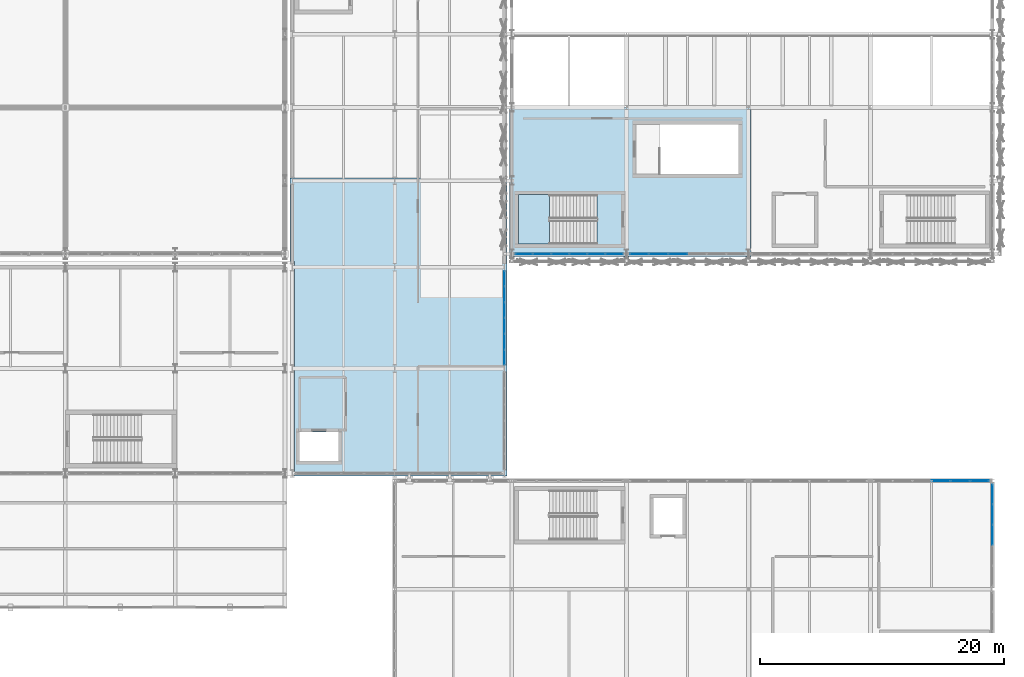
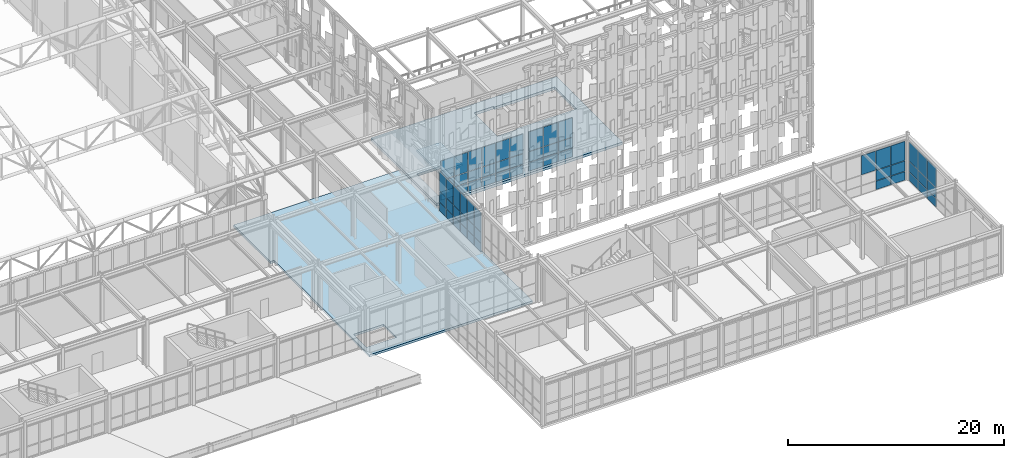
# One storey, part 194 of 239: 61 plates, 4 slabs, 6 elements without a shape of their own.
"""IFC4 building model written with IfcOpenShell, lengths in metres."""

import ifcopenshell
import ifcopenshell.guid

model = None  # the IFC model being written
_history = None  # IfcOwnerHistory: only IFC2X3 demands one
_inside = {}  # id of a spatial element -> (the spatial element, [elements in it])
_under = {}  # id of a project, library or spatial element -> (it, [spatial elements below it])
_declared = {}  # id of a project -> (the project, [libraries it declares])
_typed = {}  # id of a type object -> (the type object, [elements of that type])
_made_of = {}  # id of a material, layer set ... -> (it, [elements and type objects made of it])


def new_model(schema):
    """Start an empty IFC model of exactly this schema.

    Asked for "IFC4X3", IfcOpenShell would pick the latest addendum, in which some entities
    have other attributes; the version numbers below select the first issue.
    IFC2X3 requires an IfcOwnerHistory on every rooted entity: one is made here for all.
    """
    global model, _history
    if schema == "IFC4X3":
        model = ifcopenshell.file(schema_version=(4, 3, 0, 0))
    else:
        model = ifcopenshell.file(schema=schema)
    _inside.clear()
    _under.clear()
    _declared.clear()
    _typed.clear()
    _made_of.clear()
    _history = None
    if model.schema == "IFC2X3":
        org = make("IfcOrganization", Name="unknown")
        user = make(
            "IfcPersonAndOrganization",
            ThePerson=make("IfcPerson", FamilyName="unknown"),
            TheOrganization=org,
        )
        app = make(
            "IfcApplication",
            ApplicationDeveloper=org,
            Version="unknown",
            ApplicationFullName="unknown",
            ApplicationIdentifier="unknown",
        )
        _history = make(
            "IfcOwnerHistory",
            OwningUser=user,
            OwningApplication=app,
            ChangeAction="ADDED",
            CreationDate=0,
        )
    return model


def make(cls, **values):
    """One entity of the class cls with the attributes given. An attribute that is None is left unset."""
    return model.create_entity(
        cls, **{name: value for name, value in values.items() if value is not None}
    )


def rooted(cls, **values):
    """An entity with a GlobalId (a new one), such as an element, a storey or a relation."""
    return make(cls, GlobalId=ifcopenshell.guid.new(), OwnerHistory=_history, **values)


def si_unit(unit_type, name, prefix=None):
    """IfcSIUnit, for example si_unit("LENGTHUNIT", "METRE", prefix="MILLI")."""
    return make("IfcSIUnit", UnitType=unit_type, Prefix=prefix, Name=name)


def assignment(units):
    """IfcUnitAssignment: the units of a project."""
    return None if units is None else make("IfcUnitAssignment", Units=units)


def point(xyz):
    """IfcCartesianPoint."""
    return None if xyz is None else make("IfcCartesianPoint", Coordinates=xyz)


def direction(xyz):
    """IfcDirection."""
    return None if xyz is None else make("IfcDirection", DirectionRatios=xyz)


def frame(location, z_axis=None, x_axis=None):
    """IfcAxis2Placement3D, a coordinate frame: its origin and axes. An axis left out is left unset."""
    return make(
        "IfcAxis2Placement3D",
        Location=point(location),
        Axis=direction(z_axis),
        RefDirection=direction(x_axis),
    )


def frame_2d(location, x_axis=None):
    """IfcAxis2Placement2D, a coordinate frame in the plane: its origin and x axis."""
    return make(
        "IfcAxis2Placement2D", Location=point(location), RefDirection=direction(x_axis)
    )


def origin():
    """The frame at (0, 0, 0) with its axes left unset."""
    return frame((0.0, 0.0, 0.0))


def origin_2d():
    """The frame at (0, 0) in the plane with its x axis left unset."""
    return frame_2d((0.0, 0.0))


def place(relative_to, where):
    """IfcLocalPlacement: puts the frame where relative to a parent placement (None: the world)."""
    return make(
        "IfcLocalPlacement", PlacementRelTo=relative_to, RelativePlacement=where
    )


def context(
    kind, dimensions, precision=None, world=None, true_north=None, identifier=None
):
    """IfcGeometricRepresentationContext, for example the 3D "Model" context."""
    return make(
        "IfcGeometricRepresentationContext",
        ContextIdentifier=identifier,
        ContextType=kind,
        CoordinateSpaceDimension=dimensions,
        Precision=precision,
        WorldCoordinateSystem=world,
        TrueNorth=true_north,
    )


def subcontext(parent, identifier, kind, view, scale=None):
    """IfcGeometricRepresentationSubContext, for example "Body" below "Model"."""
    return make(
        "IfcGeometricRepresentationSubContext",
        ContextIdentifier=identifier,
        ContextType=kind,
        ParentContext=parent,
        TargetScale=scale,
        TargetView=view,
    )


def project(units=None, contexts=None):
    """IfcProject with its units and contexts."""
    return rooted(
        "IfcProject",
        Name="project",
        RepresentationContexts=contexts,
        UnitsInContext=assignment(units),
    )


def spatial(cls, under=None, at=None, **own):
    """A site, building, storey or space (cls), placed at a placement, below another one or the project."""
    s = rooted(cls, ObjectPlacement=at, **own)
    if under is not None:
        _under.setdefault(under.id(), (under, []))[1].append(s)
    return s


def polyline(points):
    """IfcPolyline through the points."""
    return make("IfcPolyline", Points=[point(p) for p in points])


def profile(cls, at=None, kind="AREA", **sizes):
    """A parametric profile (cls). Its sizes go by their IFC names, for example OverallWidth=200.0."""
    return make(cls, ProfileType=kind, Position=at, **sizes)


def rectangle(**sizes):
    """IfcRectangleProfileDef."""
    return profile("IfcRectangleProfileDef", **sizes)


def outline(outer, holes=None, kind="AREA"):
    """IfcArbitraryClosedProfileDef: a profile drawn as a closed curve; with holes, ...WithVoids."""
    if holes is None:
        return make("IfcArbitraryClosedProfileDef", ProfileType=kind, OuterCurve=outer)
    return make(
        "IfcArbitraryProfileDefWithVoids",
        ProfileType=kind,
        OuterCurve=outer,
        InnerCurves=holes,
    )


def extrude(swept, where, along, depth):
    """IfcExtrudedAreaSolid: the profile swept, set in the frame where, extruded along a direction by depth."""
    return make(
        "IfcExtrudedAreaSolid",
        SweptArea=swept,
        Position=where,
        ExtrudedDirection=direction(along),
        Depth=depth,
    )


def shape(context_of_items, identifier, shape_type, items):
    """IfcShapeRepresentation: the items that make up one representation, for example the "Body"."""
    return make(
        "IfcShapeRepresentation",
        ContextOfItems=context_of_items,
        RepresentationIdentifier=identifier,
        RepresentationType=shape_type,
        Items=items,
    )


def material(Name=None, Category=None):
    """IfcMaterial."""
    return make("IfcMaterial", Name=Name, Category=Category)


def layer(
    of_material, thickness, ventilated=None, Name=None, Category=None, Priority=None
):
    """IfcMaterialLayer: one layer of a wall or slab, of a material (None: an air gap)."""
    return make(
        "IfcMaterialLayer",
        Material=of_material,
        LayerThickness=thickness,
        IsVentilated=ventilated,
        Name=Name,
        Category=Category,
        Priority=Priority,
    )


def layer_set(layers, Name=None):
    """IfcMaterialLayerSet."""
    return make("IfcMaterialLayerSet", MaterialLayers=layers, LayerSetName=Name)


def made_of(thing, what):
    """Note that an element or type object is made of a material, layer set ...; save() writes the relation."""
    if what is not None:
        _made_of.setdefault(what.id(), (what, []))[1].append(thing)
    return thing


def type_object(cls, material=None, **own):
    """A type object (cls), such as IfcWallType, which elements share."""
    return made_of(rooted(cls, **own), material)


def element(
    cls,
    number,
    at=None,
    inside=None,
    cuts=None,
    type_object=None,
    material=None,
    context=None,
    identifier="Body",
    shape_type=None,
    held_by="IfcProductDefinitionShape",
    body=None,
    shapes=None,
    **own,
):
    """One element of the class cls, such as IfcWall. Its Tag is "e" and its number.

    at: its placement. inside: the storey or other place that contains it. cuts: it is an
    opening in that element (IfcRelVoidsElement). A single representation is given by context,
    identifier, shape_type and body (its items); several are given by shapes. held_by: the class
    of the entity that holds the representations. save() writes the other relations.
    """
    e = rooted(cls, Tag="e%d" % number, ObjectPlacement=at, **own)
    if body is not None:
        shapes = [shape(context, identifier, shape_type, body)]
    if shapes is not None:
        e.Representation = make(held_by, Representations=shapes)
    if inside is not None:
        _inside.setdefault(inside.id(), (inside, []))[1].append(e)
    if cuts is not None:
        rooted(
            "IfcRelVoidsElement", RelatingBuildingElement=cuts, RelatedOpeningElement=e
        )
    if type_object is not None:
        _typed.setdefault(type_object.id(), (type_object, []))[1].append(e)
    return made_of(e, material)


def aggregate(whole, parts):
    """IfcRelAggregates: a whole, such as a stair, and the parts it consists of."""
    return rooted("IfcRelAggregates", RelatingObject=whole, RelatedObjects=parts)


def save(model, path):
    """Write the relations noted so far, then the file.

    IfcRelAggregates (storeys below a building ...), IfcRelContainedInSpatialStructure (elements
    in a storey), IfcRelDefinesByType, IfcRelAssociatesMaterial and IfcRelDeclares: one each for
    every whole, place, type object, material and project.
    """
    for whole, parts in _under.values():
        aggregate(whole, parts)
    for where, things in _inside.values():
        rooted(
            "IfcRelContainedInSpatialStructure",
            RelatedElements=things,
            RelatingStructure=where,
        )
    for kind, things in _typed.values():
        rooted("IfcRelDefinesByType", RelatedObjects=things, RelatingType=kind)
    for what, things in _made_of.values():
        rooted("IfcRelAssociatesMaterial", RelatedObjects=things, RelatingMaterial=what)
    for by, libraries in _declared.values():
        rooted("IfcRelDeclares", RelatingContext=by, RelatedDefinitions=libraries)
    model.write(path)


model = new_model("IFC4")

# Units and contexts
model_context = context("Model", 3, precision=1e-05, world=origin(), true_north=direction((0.0, 1.0)))
body_context = subcontext(model_context, "Body", "Model", "MODEL_VIEW")
ifc_project = project(units=[si_unit("LENGTHUNIT", "METRE"), si_unit("AREAUNIT", "SQUARE_METRE"), si_unit("VOLUMEUNIT", "CUBIC_METRE"), si_unit("PLANEANGLEUNIT", "RADIAN"), si_unit("MASSUNIT", "GRAM", prefix="KILO")], contexts=[model_context])

# Site, building, storey
site_placement = place(None, origin())
site = spatial("IfcSite", under=ifc_project, at=site_placement, CompositionType="ELEMENT")
building_placement = place(site_placement, origin())
building = spatial("IfcBuilding", under=site, at=building_placement, Name="Kaldris Quays Convention Centre", CompositionType="ELEMENT")
storey_placement = place(building_placement, frame((0.0, 0.0, 11.39990234375)))
storey = spatial("IfcBuildingStorey", under=building, at=storey_placement, Name="L02", CompositionType="ELEMENT", Elevation=11.39990234375)

# Curtain wall, plates
ifc_material_1 = material(Name="Anodized aluminium AW-6060 and triple glazing", Category="aluminium")
curtain_wall_type_1 = type_object("IfcCurtainWallType", Name="UNITISED CURTAIN WALL CW02", PredefinedType="NOTDEFINED", material=ifc_material_1)
curtain_wall_1_placement = place(storey_placement, origin())
curtain_wall_1 = element("IfcCurtainWall", 1, at=curtain_wall_1_placement, inside=storey, type_object=curtain_wall_type_1, Name="L02 Unitised Curtain Wall CW02 212", PredefinedType="NOTDEFINED")
ifc_material_2 = material(Name="Triple low-E insulated glazing", Category="glass")
plate_type_1 = type_object("IfcPlateType", Name="CURTAIN GLAZING PANEL CWP4", PredefinedType="CURTAIN_PANEL", material=ifc_material_2)
plate_1_placement = place(storey_placement, frame((204.0, 32.949951171875, 0.06005859375), z_axis=(0.0, 0.0, 1.0), x_axis=(0.0, 1.0, 0.0)))
plate_1 = element("IfcPlate", 2, at=plate_1_placement, type_object=plate_type_1, Name="CW02 panel 3.1", PredefinedType="CURTAIN_PANEL", context=body_context, shape_type="SweptSolid", body=[
    extrude(rectangle(XDim=1.6201171875, YDim=0.0439453125, at=origin_2d()), origin(), (0.0, 0.0, 1.0), 0.9599609375),
])
plate_2_placement = place(storey_placement, frame((204.0, 32.949951171875, 1.080078125), z_axis=(0.0, 0.0, 1.0), x_axis=(0.0, 1.0, 0.0)))
plate_2 = element("IfcPlate", 3, at=plate_2_placement, type_object=plate_type_1, Name="CW02 panel 3.2", PredefinedType="CURTAIN_PANEL", context=body_context, shape_type="SweptSolid", body=[
    extrude(rectangle(XDim=1.6201171875, YDim=0.0439453125, at=origin_2d()), origin(), (0.0, 0.0, 1.0), 1.138916015625),
])
plate_3_placement = place(storey_placement, frame((204.0, 32.949951171875, 2.279296875), z_axis=(0.0, 0.0, 1.0), x_axis=(0.0, 1.0, 0.0)))
plate_3 = element("IfcPlate", 4, at=plate_3_placement, type_object=plate_type_1, Name="CW02 panel 3.3", PredefinedType="CURTAIN_PANEL", context=body_context, shape_type="SweptSolid", body=[
    extrude(rectangle(XDim=1.6201171875, YDim=0.0439453125, at=origin_2d()), origin(), (0.0, 0.0, 1.0), 2.158935546875),
])
plate_4_placement = place(storey_placement, frame((204.0, 34.6298828125, 0.06005859375), z_axis=(0.0, 0.0, 1.0), x_axis=(0.0, 1.0, 0.0)))
plate_4 = element("IfcPlate", 5, at=plate_4_placement, type_object=plate_type_1, Name="CW02 panel 4.1", PredefinedType="CURTAIN_PANEL", context=body_context, shape_type="SweptSolid", body=[
    extrude(rectangle(XDim=1.6201171875, YDim=0.0439453125, at=origin_2d()), origin(), (0.0, 0.0, 1.0), 0.9599609375),
])
plate_5_placement = place(storey_placement, frame((204.0, 34.6298828125, 1.080078125), z_axis=(0.0, 0.0, 1.0), x_axis=(0.0, 1.0, 0.0)))
plate_5 = element("IfcPlate", 6, at=plate_5_placement, type_object=plate_type_1, Name="CW02 panel 4.2", PredefinedType="CURTAIN_PANEL", context=body_context, shape_type="SweptSolid", body=[
    extrude(rectangle(XDim=1.6201171875, YDim=0.0439453125, at=origin_2d()), origin(), (0.0, 0.0, 1.0), 1.138916015625),
])
plate_6_placement = place(storey_placement, frame((204.0, 34.6298828125, 2.279296875), z_axis=(0.0, 0.0, 1.0), x_axis=(0.0, 1.0, 0.0)))
plate_6 = element("IfcPlate", 7, at=plate_6_placement, type_object=plate_type_1, Name="CW02 panel 4.3", PredefinedType="CURTAIN_PANEL", context=body_context, shape_type="SweptSolid", body=[
    extrude(rectangle(XDim=1.6201171875, YDim=0.0439453125, at=origin_2d()), origin(), (0.0, 0.0, 1.0), 2.158935546875),
])
plate_7_placement = place(storey_placement, frame((204.0, 36.294921875, 0.06005859375), z_axis=(0.0, 0.0, 1.0), x_axis=(0.0, 1.0, 0.0)))
plate_7 = element("IfcPlate", 8, at=plate_7_placement, type_object=plate_type_1, Name="CW02 panel 5.1", PredefinedType="CURTAIN_PANEL", context=body_context, shape_type="SweptSolid", body=[
    extrude(rectangle(XDim=1.590087890625, YDim=0.0439453125, at=origin_2d()), origin(), (0.0, 0.0, 1.0), 0.9599609375),
])
plate_8_placement = place(storey_placement, frame((204.0, 36.294921875, 1.080078125), z_axis=(0.0, 0.0, 1.0), x_axis=(0.0, 1.0, 0.0)))
plate_8 = element("IfcPlate", 9, at=plate_8_placement, type_object=plate_type_1, Name="CW02 panel 5.2", PredefinedType="CURTAIN_PANEL", context=body_context, shape_type="SweptSolid", body=[
    extrude(rectangle(XDim=1.590087890625, YDim=0.0439453125, at=origin_2d()), origin(), (0.0, 0.0, 1.0), 1.138916015625),
])
plate_9_placement = place(storey_placement, frame((204.0, 36.294921875, 2.279296875), z_axis=(0.0, 0.0, 1.0), x_axis=(0.0, 1.0, 0.0)))
plate_9 = element("IfcPlate", 10, at=plate_9_placement, type_object=plate_type_1, Name="CW02 panel 5.3", PredefinedType="CURTAIN_PANEL", context=body_context, shape_type="SweptSolid", body=[
    extrude(rectangle(XDim=1.590087890625, YDim=0.0439453125, at=origin_2d()), origin(), (0.0, 0.0, 1.0), 2.158935546875),
])
aggregate(curtain_wall_1, [plate_1, plate_2, plate_3, plate_4, plate_5, plate_6, plate_7, plate_8, plate_9])

curtain_wall_type_2 = type_object("IfcCurtainWallType", Name="UNITISED CURTAIN WALL CW01", PredefinedType="NOTDEFINED", material=ifc_material_1)
curtain_wall_2_placement = place(storey_placement, origin())
curtain_wall_2 = element("IfcCurtainWall", 11, at=curtain_wall_2_placement, inside=storey, type_object=curtain_wall_type_2, Name="L02 Unitised Curtain Wall CW01 29", PredefinedType="NOTDEFINED")
plate_type_2 = type_object("IfcPlateType", Name="CURTAIN GLAZING PANEL CWP5", PredefinedType="CURTAIN_PANEL", material=ifc_material_2)
plate_10_placement = place(storey_placement, frame((165.606689453125, 56.0, 0.06005859375), z_axis=(0.0, 0.0, 1.0), x_axis=(1.0, 0.0, 0.0)))
plate_10 = element("IfcPlate", 12, at=plate_10_placement, type_object=plate_type_2, Name="CW01 panel 1.1", PredefinedType="CURTAIN_PANEL", context=body_context, shape_type="SweptSolid", body=[
    extrude(rectangle(XDim=1.393310546875, YDim=0.049072265625, at=origin_2d()), origin(), (0.0, 0.0, 1.0), 0.9599609375),
])
plate_11_placement = place(storey_placement, frame((165.606689453125, 56.0, 1.080078125), z_axis=(0.0, 0.0, 1.0), x_axis=(1.0, 0.0, 0.0)))
plate_11 = element("IfcPlate", 13, at=plate_11_placement, type_object=plate_type_2, Name="CW01 panel 1.2", PredefinedType="CURTAIN_PANEL", context=body_context, shape_type="SweptSolid", body=[
    extrude(rectangle(XDim=1.393310546875, YDim=0.049072265625, at=origin_2d()), origin(), (0.0, 0.0, 1.0), 1.1640625),
])
plate_12_placement = place(storey_placement, frame((165.606689453125, 56.0, 2.303955078125), z_axis=(0.0, 0.0, 1.0), x_axis=(1.0, 0.0, 0.0)))
plate_12 = element("IfcPlate", 14, at=plate_12_placement, type_object=plate_type_2, Name="CW01 panel 1.3", PredefinedType="CURTAIN_PANEL", context=body_context, shape_type="SweptSolid", body=[
    extrude(rectangle(XDim=1.393310546875, YDim=0.049072265625, at=origin_2d()), origin(), (0.0, 0.0, 1.0), 2.18408203125),
])
plate_13_placement = place(storey_placement, frame((167.074951171875, 56.0, 0.06005859375), z_axis=(0.0, 0.0, 1.0), x_axis=(1.0, 0.0, 0.0)))
plate_13 = element("IfcPlate", 15, at=plate_13_placement, type_object=plate_type_2, Name="CW01 panel 2.1", PredefinedType="CURTAIN_PANEL", context=body_context, shape_type="SweptSolid", body=[
    extrude(rectangle(XDim=1.42333984375, YDim=0.049072265625, at=origin_2d()), origin(), (0.0, 0.0, 1.0), 0.9599609375),
])
plate_14_placement = place(storey_placement, frame((167.074951171875, 56.0, 1.080078125), z_axis=(0.0, 0.0, 1.0), x_axis=(1.0, 0.0, 0.0)))
plate_14 = element("IfcPlate", 16, at=plate_14_placement, type_object=plate_type_2, Name="CW01 panel 2.2", PredefinedType="CURTAIN_PANEL", context=body_context, shape_type="SweptSolid", body=[
    extrude(rectangle(XDim=1.42333984375, YDim=0.049072265625, at=origin_2d()), origin(), (0.0, 0.0, 1.0), 1.1640625),
])
plate_15_placement = place(storey_placement, frame((167.074951171875, 56.0, 2.303955078125), z_axis=(0.0, 0.0, 1.0), x_axis=(1.0, 0.0, 0.0)))
plate_15 = element("IfcPlate", 17, at=plate_15_placement, type_object=plate_type_2, Name="CW01 panel 2.3", PredefinedType="CURTAIN_PANEL", context=body_context, shape_type="SweptSolid", body=[
    extrude(rectangle(XDim=1.42333984375, YDim=0.049072265625, at=origin_2d()), origin(), (0.0, 0.0, 1.0), 2.18408203125),
])
plate_16_placement = place(storey_placement, frame((168.558349609375, 56.0, 0.06005859375), z_axis=(0.0, 0.0, 1.0), x_axis=(1.0, 0.0, 0.0)))
plate_16 = element("IfcPlate", 18, at=plate_16_placement, type_object=plate_type_2, Name="CW01 panel 3.1", PredefinedType="CURTAIN_PANEL", context=body_context, shape_type="SweptSolid", body=[
    extrude(rectangle(XDim=1.42333984375, YDim=0.049072265625, at=origin_2d()), origin(), (0.0, 0.0, 1.0), 0.9599609375),
])
plate_17_placement = place(storey_placement, frame((168.558349609375, 56.0, 1.080078125), z_axis=(0.0, 0.0, 1.0), x_axis=(1.0, 0.0, 0.0)))
plate_17 = element("IfcPlate", 19, at=plate_17_placement, type_object=plate_type_2, Name="CW01 panel 3.2", PredefinedType="CURTAIN_PANEL", context=body_context, shape_type="SweptSolid", body=[
    extrude(rectangle(XDim=1.42333984375, YDim=0.049072265625, at=origin_2d()), origin(), (0.0, 0.0, 1.0), 1.1640625),
])
plate_18_placement = place(storey_placement, frame((168.558349609375, 56.0, 2.303955078125), z_axis=(0.0, 0.0, 1.0), x_axis=(1.0, 0.0, 0.0)))
plate_18 = element("IfcPlate", 20, at=plate_18_placement, type_object=plate_type_2, Name="CW01 panel 3.3", PredefinedType="CURTAIN_PANEL", context=body_context, shape_type="SweptSolid", body=[
    extrude(rectangle(XDim=1.42333984375, YDim=0.049072265625, at=origin_2d()), origin(), (0.0, 0.0, 1.0), 2.18408203125),
])
plate_19_placement = place(storey_placement, frame((170.041748046875, 56.0, 0.06005859375), z_axis=(0.0, 0.0, 1.0), x_axis=(1.0, 0.0, 0.0)))
plate_19 = element("IfcPlate", 21, at=plate_19_placement, type_object=plate_type_2, Name="CW01 panel 4.1", PredefinedType="CURTAIN_PANEL", context=body_context, shape_type="SweptSolid", body=[
    extrude(rectangle(XDim=1.42333984375, YDim=0.049072265625, at=origin_2d()), origin(), (0.0, 0.0, 1.0), 0.9599609375),
])
plate_20_placement = place(storey_placement, frame((170.041748046875, 56.0, 1.080078125), z_axis=(0.0, 0.0, 1.0), x_axis=(1.0, 0.0, 0.0)))
plate_20 = element("IfcPlate", 22, at=plate_20_placement, type_object=plate_type_2, Name="CW01 panel 4.2", PredefinedType="CURTAIN_PANEL", context=body_context, shape_type="SweptSolid", body=[
    extrude(rectangle(XDim=1.42333984375, YDim=0.049072265625, at=origin_2d()), origin(), (0.0, 0.0, 1.0), 1.1640625),
])
plate_21_placement = place(storey_placement, frame((170.041748046875, 56.0, 2.303955078125), z_axis=(0.0, 0.0, 1.0), x_axis=(1.0, 0.0, 0.0)))
plate_21 = element("IfcPlate", 23, at=plate_21_placement, type_object=plate_type_2, Name="CW01 panel 4.3", PredefinedType="CURTAIN_PANEL", context=body_context, shape_type="SweptSolid", body=[
    extrude(rectangle(XDim=1.42333984375, YDim=0.049072265625, at=origin_2d()), origin(), (0.0, 0.0, 1.0), 2.18408203125),
])
plate_22_placement = place(storey_placement, frame((171.52490234375, 56.0, 0.06005859375), z_axis=(0.0, 0.0, 1.0), x_axis=(1.0, 0.0, 0.0)))
plate_22 = element("IfcPlate", 24, at=plate_22_placement, type_object=plate_type_2, Name="CW01 panel 5.1", PredefinedType="CURTAIN_PANEL", context=body_context, shape_type="SweptSolid", body=[
    extrude(rectangle(XDim=1.42333984375, YDim=0.049072265625, at=origin_2d()), origin(), (0.0, 0.0, 1.0), 0.9599609375),
])
plate_23_placement = place(storey_placement, frame((171.52490234375, 56.0, 1.080078125), z_axis=(0.0, 0.0, 1.0), x_axis=(1.0, 0.0, 0.0)))
plate_23 = element("IfcPlate", 25, at=plate_23_placement, type_object=plate_type_2, Name="CW01 panel 5.2", PredefinedType="CURTAIN_PANEL", context=body_context, shape_type="SweptSolid", body=[
    extrude(rectangle(XDim=1.42333984375, YDim=0.049072265625, at=origin_2d()), origin(), (0.0, 0.0, 1.0), 1.1640625),
])
plate_24_placement = place(storey_placement, frame((171.52490234375, 56.0, 2.303955078125), z_axis=(0.0, 0.0, 1.0), x_axis=(1.0, 0.0, 0.0)))
plate_24 = element("IfcPlate", 26, at=plate_24_placement, type_object=plate_type_2, Name="CW01 panel 5.3", PredefinedType="CURTAIN_PANEL", context=body_context, shape_type="SweptSolid", body=[
    extrude(rectangle(XDim=1.42333984375, YDim=0.049072265625, at=origin_2d()), origin(), (0.0, 0.0, 1.0), 2.18408203125),
])
plate_25_placement = place(storey_placement, frame((172.993408203125, 56.0, 0.06005859375), z_axis=(0.0, 0.0, 1.0), x_axis=(1.0, 0.0, 0.0)))
plate_25 = element("IfcPlate", 27, at=plate_25_placement, type_object=plate_type_2, Name="CW01 panel 6.1", PredefinedType="CURTAIN_PANEL", context=body_context, shape_type="SweptSolid", body=[
    extrude(rectangle(XDim=1.393310546875, YDim=0.049072265625, at=origin_2d()), origin(), (0.0, 0.0, 1.0), 0.9599609375),
])
plate_26_placement = place(storey_placement, frame((172.993408203125, 56.0, 1.080078125), z_axis=(0.0, 0.0, 1.0), x_axis=(1.0, 0.0, 0.0)))
plate_26 = element("IfcPlate", 28, at=plate_26_placement, type_object=plate_type_2, Name="CW01 panel 6.2", PredefinedType="CURTAIN_PANEL", context=body_context, shape_type="SweptSolid", body=[
    extrude(rectangle(XDim=1.393310546875, YDim=0.049072265625, at=origin_2d()), origin(), (0.0, 0.0, 1.0), 1.1640625),
])
plate_27_placement = place(storey_placement, frame((172.993408203125, 56.0, 2.303955078125), z_axis=(0.0, 0.0, 1.0), x_axis=(1.0, 0.0, 0.0)))
plate_27 = element("IfcPlate", 29, at=plate_27_placement, type_object=plate_type_2, Name="CW01 panel 6.3", PredefinedType="CURTAIN_PANEL", context=body_context, shape_type="SweptSolid", body=[
    extrude(rectangle(XDim=1.393310546875, YDim=0.049072265625, at=origin_2d()), origin(), (0.0, 0.0, 1.0), 2.18408203125),
])
aggregate(curtain_wall_2, [plate_10, plate_11, plate_12, plate_13, plate_14, plate_15, plate_16, plate_17, plate_18, plate_19, plate_20, plate_21, plate_22, plate_23, plate_24, plate_25, plate_26, plate_27])

curtain_wall_3_placement = place(storey_placement, origin())
curtain_wall_3 = element("IfcCurtainWall", 30, at=curtain_wall_3_placement, inside=storey, type_object=curtain_wall_type_2, Name="L02 Unitised Curtain Wall CW01 30", PredefinedType="NOTDEFINED")
plate_type_3 = type_object("IfcPlateType", Name="CURTAIN GLAZING PANEL CWP6", PredefinedType="CURTAIN_PANEL", material=ifc_material_2)
plate_28_placement = place(storey_placement, frame((175.056640625, 56.0, 0.06005859375), z_axis=(0.0, 0.0, 1.0), x_axis=(1.0, 0.0, 0.0)))
plate_28 = element("IfcPlate", 31, at=plate_28_placement, type_object=plate_type_3, Name="CW01 panel 1.1", PredefinedType="CURTAIN_PANEL", context=body_context, shape_type="SweptSolid", body=[
    extrude(rectangle(XDim=1.493408203125, YDim=0.053955078125, at=origin_2d()), origin(), (0.0, 0.0, 1.0), 0.9599609375),
])
plate_29_placement = place(storey_placement, frame((175.056640625, 56.0, 1.080078125), z_axis=(0.0, 0.0, 1.0), x_axis=(1.0, 0.0, 0.0)))
plate_29 = element("IfcPlate", 32, at=plate_29_placement, type_object=plate_type_3, Name="CW01 panel 1.2", PredefinedType="CURTAIN_PANEL", context=body_context, shape_type="SweptSolid", body=[
    extrude(rectangle(XDim=1.493408203125, YDim=0.053955078125, at=origin_2d()), origin(), (0.0, 0.0, 1.0), 1.1640625),
])
plate_30_placement = place(storey_placement, frame((175.056640625, 56.0, 2.303955078125), z_axis=(0.0, 0.0, 1.0), x_axis=(1.0, 0.0, 0.0)))
plate_30 = element("IfcPlate", 33, at=plate_30_placement, type_object=plate_type_3, Name="CW01 panel 1.3", PredefinedType="CURTAIN_PANEL", context=body_context, shape_type="SweptSolid", body=[
    extrude(rectangle(XDim=1.493408203125, YDim=0.053955078125, at=origin_2d()), origin(), (0.0, 0.0, 1.0), 2.18408203125),
])
plate_31_placement = place(storey_placement, frame((176.625, 56.0, 0.06005859375), z_axis=(0.0, 0.0, 1.0), x_axis=(1.0, 0.0, 0.0)))
plate_31 = element("IfcPlate", 34, at=plate_31_placement, type_object=plate_type_3, Name="CW01 panel 2.1", PredefinedType="CURTAIN_PANEL", context=body_context, shape_type="SweptSolid", body=[
    extrude(rectangle(XDim=1.5234375, YDim=0.053955078125, at=origin_2d()), origin(), (0.0, 0.0, 1.0), 0.9599609375),
])
plate_32_placement = place(storey_placement, frame((176.625, 56.0, 1.080078125), z_axis=(0.0, 0.0, 1.0), x_axis=(1.0, 0.0, 0.0)))
plate_32 = element("IfcPlate", 35, at=plate_32_placement, type_object=plate_type_3, Name="CW01 panel 2.2", PredefinedType="CURTAIN_PANEL", context=body_context, shape_type="SweptSolid", body=[
    extrude(rectangle(XDim=1.5234375, YDim=0.053955078125, at=origin_2d()), origin(), (0.0, 0.0, 1.0), 1.1640625),
])
plate_33_placement = place(storey_placement, frame((176.625, 56.0, 2.303955078125), z_axis=(0.0, 0.0, 1.0), x_axis=(1.0, 0.0, 0.0)))
plate_33 = element("IfcPlate", 36, at=plate_33_placement, type_object=plate_type_3, Name="CW01 panel 2.3", PredefinedType="CURTAIN_PANEL", context=body_context, shape_type="SweptSolid", body=[
    extrude(rectangle(XDim=1.5234375, YDim=0.053955078125, at=origin_2d()), origin(), (0.0, 0.0, 1.0), 2.18408203125),
])
plate_34_placement = place(storey_placement, frame((178.208251953125, 56.0, 0.06005859375), z_axis=(0.0, 0.0, 1.0), x_axis=(1.0, 0.0, 0.0)))
plate_34 = element("IfcPlate", 37, at=plate_34_placement, type_object=plate_type_3, Name="CW01 panel 3.1", PredefinedType="CURTAIN_PANEL", context=body_context, shape_type="SweptSolid", body=[
    extrude(rectangle(XDim=1.5234375, YDim=0.053955078125, at=origin_2d()), origin(), (0.0, 0.0, 1.0), 0.9599609375),
])
plate_35_placement = place(storey_placement, frame((178.208251953125, 56.0, 1.080078125), z_axis=(0.0, 0.0, 1.0), x_axis=(1.0, 0.0, 0.0)))
plate_35 = element("IfcPlate", 38, at=plate_35_placement, type_object=plate_type_3, Name="CW01 panel 3.2", PredefinedType="CURTAIN_PANEL", context=body_context, shape_type="SweptSolid", body=[
    extrude(rectangle(XDim=1.5234375, YDim=0.053955078125, at=origin_2d()), origin(), (0.0, 0.0, 1.0), 1.1640625),
])
plate_36_placement = place(storey_placement, frame((178.208251953125, 56.0, 2.303955078125), z_axis=(0.0, 0.0, 1.0), x_axis=(1.0, 0.0, 0.0)))
plate_36 = element("IfcPlate", 39, at=plate_36_placement, type_object=plate_type_3, Name="CW01 panel 3.3", PredefinedType="CURTAIN_PANEL", context=body_context, shape_type="SweptSolid", body=[
    extrude(rectangle(XDim=1.5234375, YDim=0.053955078125, at=origin_2d()), origin(), (0.0, 0.0, 1.0), 2.18408203125),
])
aggregate(curtain_wall_3, [plate_28, plate_29, plate_30, plate_31, plate_32, plate_33, plate_34, plate_35, plate_36])

curtain_wall_type_3 = type_object("IfcCurtainWallType", Name="UNITISED CURTAIN WALL CW04", PredefinedType="NOTDEFINED", material=ifc_material_1)
curtain_wall_4_placement = place(storey_placement, origin())
curtain_wall_4 = element("IfcCurtainWall", 40, at=curtain_wall_4_placement, inside=storey, type_object=curtain_wall_type_3, Name="L02 Unitised Curtain Wall CW04 143", PredefinedType="NOTDEFINED")
plate_type_4 = type_object("IfcPlateType", Name="CURTAIN GLAZING PANEL CWP7", PredefinedType="CURTAIN_PANEL", material=ifc_material_2)
plate_37_placement = place(storey_placement, frame((164.0, 47.514892578125, 0.06005859375), z_axis=(0.0, 0.0, 1.0), x_axis=(0.0, 1.0, 0.0)))
plate_37 = element("IfcPlate", 41, at=plate_37_placement, type_object=plate_type_4, Name="CW04 panel 1.1", PredefinedType="CURTAIN_PANEL", context=body_context, shape_type="SweptSolid", body=[
    extrude(rectangle(XDim=1.2099609375, YDim=0.05908203125, at=origin_2d()), origin(), (0.0, 0.0, 1.0), 0.9599609375),
])
plate_38_placement = place(storey_placement, frame((164.0, 47.514892578125, 1.080078125), z_axis=(0.0, 0.0, 1.0), x_axis=(0.0, 1.0, 0.0)))
plate_38 = element("IfcPlate", 42, at=plate_38_placement, type_object=plate_type_4, Name="CW04 panel 1.2", PredefinedType="CURTAIN_PANEL", context=body_context, shape_type="SweptSolid", body=[
    extrude(rectangle(XDim=1.2099609375, YDim=0.05908203125, at=origin_2d()), origin(), (0.0, 0.0, 1.0), 1.1640625),
])
plate_39_placement = place(storey_placement, frame((164.0, 47.514892578125, 2.303955078125), z_axis=(0.0, 0.0, 1.0), x_axis=(0.0, 1.0, 0.0)))
plate_39 = element("IfcPlate", 43, at=plate_39_placement, type_object=plate_type_4, Name="CW04 panel 1.3", PredefinedType="CURTAIN_PANEL", context=body_context, shape_type="SweptSolid", body=[
    extrude(rectangle(XDim=1.2099609375, YDim=0.05908203125, at=origin_2d()), origin(), (0.0, 0.0, 1.0), 2.18408203125),
])
plate_40_placement = place(storey_placement, frame((164.0, 48.800048828125, 0.06005859375), z_axis=(0.0, 0.0, 1.0), x_axis=(0.0, 1.0, 0.0)))
plate_40 = element("IfcPlate", 44, at=plate_40_placement, type_object=plate_type_4, Name="CW04 panel 2.1", PredefinedType="CURTAIN_PANEL", context=body_context, shape_type="SweptSolid", body=[
    extrude(rectangle(XDim=1.239990234375, YDim=0.05908203125, at=origin_2d()), origin(), (0.0, 0.0, 1.0), 0.9599609375),
])
plate_41_placement = place(storey_placement, frame((164.0, 48.800048828125, 1.080078125), z_axis=(0.0, 0.0, 1.0), x_axis=(0.0, 1.0, 0.0)))
plate_41 = element("IfcPlate", 45, at=plate_41_placement, type_object=plate_type_4, Name="CW04 panel 2.2", PredefinedType="CURTAIN_PANEL", context=body_context, shape_type="SweptSolid", body=[
    extrude(rectangle(XDim=1.239990234375, YDim=0.05908203125, at=origin_2d()), origin(), (0.0, 0.0, 1.0), 1.1640625),
])
plate_42_placement = place(storey_placement, frame((164.0, 48.800048828125, 2.303955078125), z_axis=(0.0, 0.0, 1.0), x_axis=(0.0, 1.0, 0.0)))
plate_42 = element("IfcPlate", 46, at=plate_42_placement, type_object=plate_type_4, Name="CW04 panel 2.3", PredefinedType="CURTAIN_PANEL", context=body_context, shape_type="SweptSolid", body=[
    extrude(rectangle(XDim=1.239990234375, YDim=0.05908203125, at=origin_2d()), origin(), (0.0, 0.0, 1.0), 2.18408203125),
])
plate_43_placement = place(storey_placement, frame((164.0, 50.10009765625, 0.06005859375), z_axis=(0.0, 0.0, 1.0), x_axis=(0.0, 1.0, 0.0)))
plate_43 = element("IfcPlate", 47, at=plate_43_placement, type_object=plate_type_4, Name="CW04 panel 3.1", PredefinedType="CURTAIN_PANEL", context=body_context, shape_type="SweptSolid", body=[
    extrude(rectangle(XDim=1.239990234375, YDim=0.05908203125, at=origin_2d()), origin(), (0.0, 0.0, 1.0), 0.9599609375),
])
plate_44_placement = place(storey_placement, frame((164.0, 50.10009765625, 1.080078125), z_axis=(0.0, 0.0, 1.0), x_axis=(0.0, 1.0, 0.0)))
plate_44 = element("IfcPlate", 48, at=plate_44_placement, type_object=plate_type_4, Name="CW04 panel 3.2", PredefinedType="CURTAIN_PANEL", context=body_context, shape_type="SweptSolid", body=[
    extrude(rectangle(XDim=1.239990234375, YDim=0.05908203125, at=origin_2d()), origin(), (0.0, 0.0, 1.0), 1.1640625),
])
plate_45_placement = place(storey_placement, frame((164.0, 50.10009765625, 2.303955078125), z_axis=(0.0, 0.0, 1.0), x_axis=(0.0, 1.0, 0.0)))
plate_45 = element("IfcPlate", 49, at=plate_45_placement, type_object=plate_type_4, Name="CW04 panel 3.3", PredefinedType="CURTAIN_PANEL", context=body_context, shape_type="SweptSolid", body=[
    extrude(rectangle(XDim=1.239990234375, YDim=0.05908203125, at=origin_2d()), origin(), (0.0, 0.0, 1.0), 2.18408203125),
])
plate_46_placement = place(storey_placement, frame((164.0, 51.39990234375, 0.06005859375), z_axis=(0.0, 0.0, 1.0), x_axis=(0.0, 1.0, 0.0)))
plate_46 = element("IfcPlate", 50, at=plate_46_placement, type_object=plate_type_4, Name="CW04 panel 4.1", PredefinedType="CURTAIN_PANEL", context=body_context, shape_type="SweptSolid", body=[
    extrude(rectangle(XDim=1.239990234375, YDim=0.05908203125, at=origin_2d()), origin(), (0.0, 0.0, 1.0), 0.9599609375),
])
plate_47_placement = place(storey_placement, frame((164.0, 51.39990234375, 1.080078125), z_axis=(0.0, 0.0, 1.0), x_axis=(0.0, 1.0, 0.0)))
plate_47 = element("IfcPlate", 51, at=plate_47_placement, type_object=plate_type_4, Name="CW04 panel 4.2", PredefinedType="CURTAIN_PANEL", context=body_context, shape_type="SweptSolid", body=[
    extrude(rectangle(XDim=1.239990234375, YDim=0.05908203125, at=origin_2d()), origin(), (0.0, 0.0, 1.0), 1.1640625),
])
plate_48_placement = place(storey_placement, frame((164.0, 51.39990234375, 2.303955078125), z_axis=(0.0, 0.0, 1.0), x_axis=(0.0, 1.0, 0.0)))
plate_48 = element("IfcPlate", 52, at=plate_48_placement, type_object=plate_type_4, Name="CW04 panel 4.3", PredefinedType="CURTAIN_PANEL", context=body_context, shape_type="SweptSolid", body=[
    extrude(rectangle(XDim=1.239990234375, YDim=0.05908203125, at=origin_2d()), origin(), (0.0, 0.0, 1.0), 2.18408203125),
])
plate_49_placement = place(storey_placement, frame((164.0, 52.699951171875, 0.06005859375), z_axis=(0.0, 0.0, 1.0), x_axis=(0.0, 1.0, 0.0)))
plate_49 = element("IfcPlate", 53, at=plate_49_placement, type_object=plate_type_4, Name="CW04 panel 5.1", PredefinedType="CURTAIN_PANEL", context=body_context, shape_type="SweptSolid", body=[
    extrude(rectangle(XDim=1.239990234375, YDim=0.05908203125, at=origin_2d()), origin(), (0.0, 0.0, 1.0), 0.9599609375),
])
plate_50_placement = place(storey_placement, frame((164.0, 52.699951171875, 1.080078125), z_axis=(0.0, 0.0, 1.0), x_axis=(0.0, 1.0, 0.0)))
plate_50 = element("IfcPlate", 54, at=plate_50_placement, type_object=plate_type_4, Name="CW04 panel 5.2", PredefinedType="CURTAIN_PANEL", context=body_context, shape_type="SweptSolid", body=[
    extrude(rectangle(XDim=1.239990234375, YDim=0.05908203125, at=origin_2d()), origin(), (0.0, 0.0, 1.0), 1.1640625),
])
plate_51_placement = place(storey_placement, frame((164.0, 52.699951171875, 2.303955078125), z_axis=(0.0, 0.0, 1.0), x_axis=(0.0, 1.0, 0.0)))
plate_51 = element("IfcPlate", 55, at=plate_51_placement, type_object=plate_type_4, Name="CW04 panel 5.3", PredefinedType="CURTAIN_PANEL", context=body_context, shape_type="SweptSolid", body=[
    extrude(rectangle(XDim=1.239990234375, YDim=0.05908203125, at=origin_2d()), origin(), (0.0, 0.0, 1.0), 2.18408203125),
])
plate_52_placement = place(storey_placement, frame((164.0, 53.985107421875, 0.06005859375), z_axis=(0.0, 0.0, 1.0), x_axis=(0.0, 1.0, 0.0)))
plate_52 = element("IfcPlate", 56, at=plate_52_placement, type_object=plate_type_4, Name="CW04 panel 6.1", PredefinedType="CURTAIN_PANEL", context=body_context, shape_type="SweptSolid", body=[
    extrude(rectangle(XDim=1.2099609375, YDim=0.05908203125, at=origin_2d()), origin(), (0.0, 0.0, 1.0), 0.9599609375),
])
plate_53_placement = place(storey_placement, frame((164.0, 53.985107421875, 1.080078125), z_axis=(0.0, 0.0, 1.0), x_axis=(0.0, 1.0, 0.0)))
plate_53 = element("IfcPlate", 57, at=plate_53_placement, type_object=plate_type_4, Name="CW04 panel 6.2", PredefinedType="CURTAIN_PANEL", context=body_context, shape_type="SweptSolid", body=[
    extrude(rectangle(XDim=1.2099609375, YDim=0.05908203125, at=origin_2d()), origin(), (0.0, 0.0, 1.0), 1.1640625),
])
plate_54_placement = place(storey_placement, frame((164.0, 53.985107421875, 2.303955078125), z_axis=(0.0, 0.0, 1.0), x_axis=(0.0, 1.0, 0.0)))
plate_54 = element("IfcPlate", 58, at=plate_54_placement, type_object=plate_type_4, Name="CW04 panel 6.3", PredefinedType="CURTAIN_PANEL", context=body_context, shape_type="SweptSolid", body=[
    extrude(rectangle(XDim=1.2099609375, YDim=0.05908203125, at=origin_2d()), origin(), (0.0, 0.0, 1.0), 2.18408203125),
])
aggregate(curtain_wall_4, [plate_37, plate_38, plate_39, plate_40, plate_41, plate_42, plate_43, plate_44, plate_45, plate_46, plate_47, plate_48, plate_49, plate_50, plate_51, plate_52, plate_53, plate_54])

curtain_wall_5_placement = place(storey_placement, origin())
curtain_wall_5 = element("IfcCurtainWall", 59, at=curtain_wall_5_placement, inside=storey, type_object=curtain_wall_type_1, Name="L02 Unitised Curtain Wall CW02 208", PredefinedType="NOTDEFINED")
plate_type_5 = type_object("IfcPlateType", Name="CURTAIN GLAZING PANEL CWP8", PredefinedType="CURTAIN_PANEL", material=ifc_material_2)
plate_55_placement = place(storey_placement, frame((199.791748046875, 37.39990234375, 2.279296875), z_axis=(0.0, 0.0, 1.0), x_axis=(1.0, 0.0, 0.0)))
plate_55 = element("IfcPlate", 60, at=plate_55_placement, type_object=plate_type_5, Name="CW02 panel 4.3", PredefinedType="CURTAIN_PANEL", context=body_context, shape_type="SweptSolid", body=[
    extrude(rectangle(XDim=1.5234375, YDim=0.06396484375, at=origin_2d()), origin(), (0.0, 0.0, 1.0), 2.158935546875),
])
plate_56_placement = place(storey_placement, frame((201.375, 37.39990234375, 0.06005859375), z_axis=(0.0, 0.0, 1.0), x_axis=(1.0, 0.0, 0.0)))
plate_56 = element("IfcPlate", 61, at=plate_56_placement, type_object=plate_type_5, Name="CW02 panel 5.1", PredefinedType="CURTAIN_PANEL", context=body_context, shape_type="SweptSolid", body=[
    extrude(rectangle(XDim=1.5234375, YDim=0.06396484375, at=origin_2d()), origin(), (0.0, 0.0, 1.0), 0.9599609375),
])
plate_57_placement = place(storey_placement, frame((201.375, 37.39990234375, 1.080078125), z_axis=(0.0, 0.0, 1.0), x_axis=(1.0, 0.0, 0.0)))
plate_57 = element("IfcPlate", 62, at=plate_57_placement, type_object=plate_type_5, Name="CW02 panel 5.2", PredefinedType="CURTAIN_PANEL", context=body_context, shape_type="SweptSolid", body=[
    extrude(rectangle(XDim=1.5234375, YDim=0.06396484375, at=origin_2d()), origin(), (0.0, 0.0, 1.0), 1.138916015625),
])
plate_58_placement = place(storey_placement, frame((201.375, 37.39990234375, 2.279296875), z_axis=(0.0, 0.0, 1.0), x_axis=(1.0, 0.0, 0.0)))
plate_58 = element("IfcPlate", 63, at=plate_58_placement, type_object=plate_type_5, Name="CW02 panel 5.3", PredefinedType="CURTAIN_PANEL", context=body_context, shape_type="SweptSolid", body=[
    extrude(rectangle(XDim=1.5234375, YDim=0.06396484375, at=origin_2d()), origin(), (0.0, 0.0, 1.0), 2.158935546875),
])
plate_59_placement = place(storey_placement, frame((202.943359375, 37.39990234375, 0.06005859375), z_axis=(0.0, 0.0, 1.0), x_axis=(1.0, 0.0, 0.0)))
plate_59 = element("IfcPlate", 64, at=plate_59_placement, type_object=plate_type_5, Name="CW02 panel 6.1", PredefinedType="CURTAIN_PANEL", context=body_context, shape_type="SweptSolid", body=[
    extrude(rectangle(XDim=1.493408203125, YDim=0.06396484375, at=origin_2d()), origin(), (0.0, 0.0, 1.0), 0.9599609375),
])
plate_60_placement = place(storey_placement, frame((202.943359375, 37.39990234375, 1.080078125), z_axis=(0.0, 0.0, 1.0), x_axis=(1.0, 0.0, 0.0)))
plate_60 = element("IfcPlate", 65, at=plate_60_placement, type_object=plate_type_5, Name="CW02 panel 6.2", PredefinedType="CURTAIN_PANEL", context=body_context, shape_type="SweptSolid", body=[
    extrude(rectangle(XDim=1.493408203125, YDim=0.06396484375, at=origin_2d()), origin(), (0.0, 0.0, 1.0), 1.138916015625),
])
plate_61_placement = place(storey_placement, frame((202.943359375, 37.39990234375, 2.279296875), z_axis=(0.0, 0.0, 1.0), x_axis=(1.0, 0.0, 0.0)))
plate_61 = element("IfcPlate", 66, at=plate_61_placement, type_object=plate_type_5, Name="CW02 panel 6.3", PredefinedType="CURTAIN_PANEL", context=body_context, shape_type="SweptSolid", body=[
    extrude(rectangle(XDim=1.493408203125, YDim=0.06396484375, at=origin_2d()), origin(), (0.0, 0.0, 1.0), 2.158935546875),
])
aggregate(curtain_wall_5, [plate_55, plate_56, plate_57, plate_58, plate_59, plate_60, plate_61])

# Stair, slab
ifc_material_3 = material(Name="Concrete C35/45", Category="concrete")
stair_type = type_object("IfcStairType", Name="DOGLEG ESCAPE STAIR STF1", PredefinedType="TWO_STRAIGHT_RUN_STAIR", material=ifc_material_3)
stair_placement = place(storey_placement, origin())
stair = element("IfcStair", 67, at=stair_placement, inside=storey, type_object=stair_type, Name="L02 Escape Stair ST08", PredefinedType="TWO_STRAIGHT_RUN_STAIR")
ifc_layer_1 = layer(ifc_material_3, 0.205078125)
ifc_layer_set_1 = layer_set([ifc_layer_1], Name="Concrete C35/45")
slab_type_1 = type_object("IfcSlabType", Name="STAIR LANDING SLAB LS01", PredefinedType="LANDING", material=ifc_layer_set_1)
slab_1_placement = place(storey_placement, frame((0.0, 0.0, 2.4951171875)))
slab_1 = element("IfcSlab", 68, at=slab_1_placement, type_object=slab_type_1, Name="STF1 landing 1", PredefinedType="LANDING", context=body_context, shape_type="SweptSolid", body=[
    extrude(outline(polyline([(167.679931640625, 60.85009765625), (165.14990234375, 60.85009765625), (165.14990234375, 56.800048828125), (167.679931640625, 56.800048828125), (167.679931640625, 60.85009765625)])), origin(), (0.0, 0.0, 1.0), 0.205078125),
])
aggregate(stair, [slab_1])

# Slabs
ifc_layer_2 = layer(ifc_material_3, 0.294921875)
ifc_layer_set_2 = layer_set([ifc_layer_2], Name="Concrete C35/45")
slab_type_2 = type_object("IfcSlabType", Name="STRUCTURAL SLAB FS04", PredefinedType="FLOOR", material=ifc_layer_set_2)
slab_2_placement = place(storey_placement, frame((0.0, 0.0, -0.294921875)))
element("IfcSlab", 69, at=slab_2_placement, inside=storey, type_object=slab_type_2, Name="L02 V2 Upper Balcony A SLAB-L02-V2A", PredefinedType="FLOOR", context=body_context, shape_type="SweptSolid", body=[
    extrude(outline(polyline([(164.39990234375, 55.800048828125), (164.39990234375, 68.0), (184.199951171875, 68.0), (184.199951171875, 55.800048828125), (164.39990234375, 55.800048828125)]), holes=[polyline([(171.597900390625, 60.969970703125), (171.597900390625, 60.85009765625), (165.14990234375, 60.85009765625), (165.14990234375, 56.800048828125), (171.597900390625, 56.800048828125), (171.599853515625, 56.677978515625), (173.671142578125, 56.67822265625), (173.671875, 60.970947265625), (171.597900390625, 60.969970703125)]), polyline([(174.67822265625, 66.720703125), (174.67919921875, 62.42822265625), (176.750244140625, 62.427978515625), (176.751953125, 62.550048828125), (183.199951171875, 62.550048828125), (183.199951171875, 66.60009765625), (176.751953125, 66.60009765625), (176.750244140625, 66.721923828125), (174.67822265625, 66.720703125)])]), origin(), (0.0, 0.0, 1.0), 0.294921875),
])
ifc_layer_3 = layer(ifc_material_3, 0.27490234375)
ifc_layer_set_3 = layer_set([ifc_layer_3], Name="Concrete C35/45")
slab_type_3 = type_object("IfcSlabType", Name="STRUCTURAL SLAB FS05", PredefinedType="FLOOR", material=ifc_layer_set_3)
slab_3_placement = place(storey_placement, frame((0.0, 0.0, -0.27490234375)))
element("IfcSlab", 70, at=slab_3_placement, inside=storey, type_object=slab_type_3, Name="L02 ST08 Core Floor Landing Slab", PredefinedType="FLOOR", context=body_context, shape_type="SweptSolid", body=[
    extrude(outline(polyline([(173.669921875, 60.969970703125), (171.60009765625, 60.969970703125), (171.60009765625, 56.679931640625), (173.669921875, 56.679931640625), (173.669921875, 60.969970703125)])), origin(), (0.0, 0.0, 1.0), 0.27490234375),
])
ifc_layer_4 = layer(ifc_material_3, 0.2548828125)
ifc_layer_set_4 = layer_set([ifc_layer_4], Name="Concrete C35/45")
slab_type_4 = type_object("IfcSlabType", Name="STRUCTURAL SLAB FS06", PredefinedType="FLOOR", material=ifc_layer_set_4)
slab_4_placement = place(storey_placement, frame((0.0, 0.0, -0.2548828125)))
element("IfcSlab", 71, at=slab_4_placement, inside=storey, type_object=slab_type_4, Name="L02 V4 L02 East 1 SLAB-L02-V4E-1", PredefinedType="FLOOR", context=body_context, shape_type="SweptSolid", body=[
    extrude(outline(polyline([(146.39990234375, 62.199951171875), (164.199951171875, 62.199951171875), (164.199951171875, 37.800048828125), (146.802001953125, 37.800048828125), (146.802001953125, 55.375), (146.39990234375, 55.376953125), (146.39990234375, 62.199951171875)]), holes=[polyline([(150.39990234375, 39.0), (150.39990234375, 41.39990234375), (147.199951171875, 41.39990234375), (147.199951171875, 39.0), (150.39990234375, 39.0)])]), origin(), (0.0, 0.0, 1.0), 0.2548828125),
])

save(model, "model.ifc")
